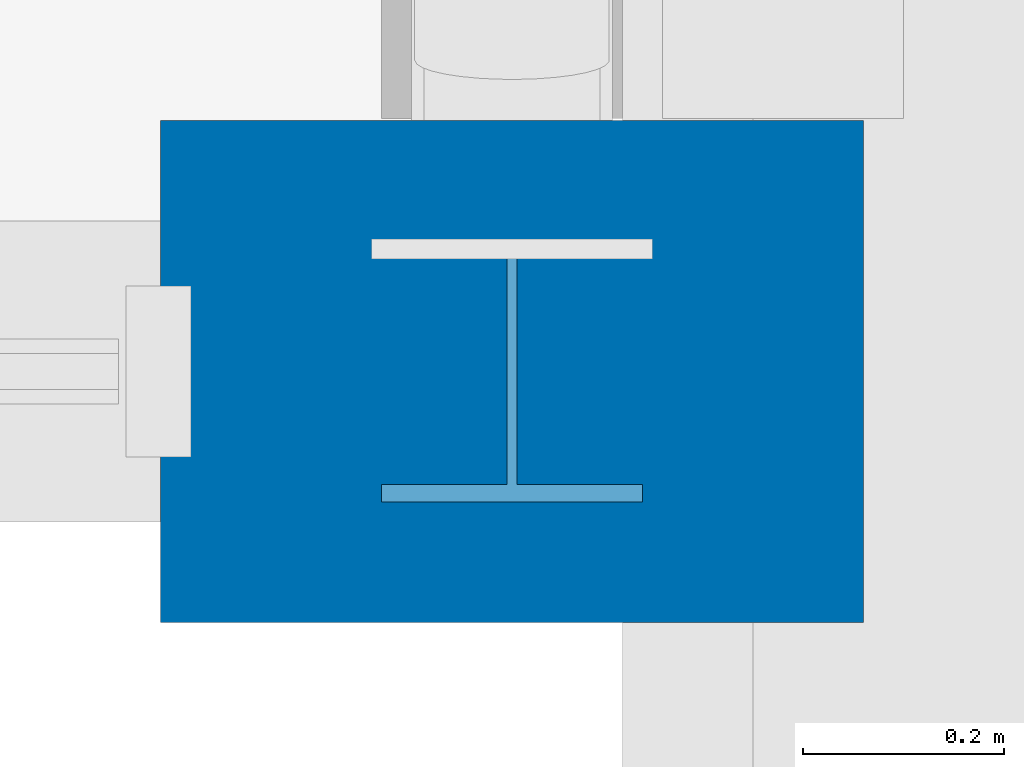
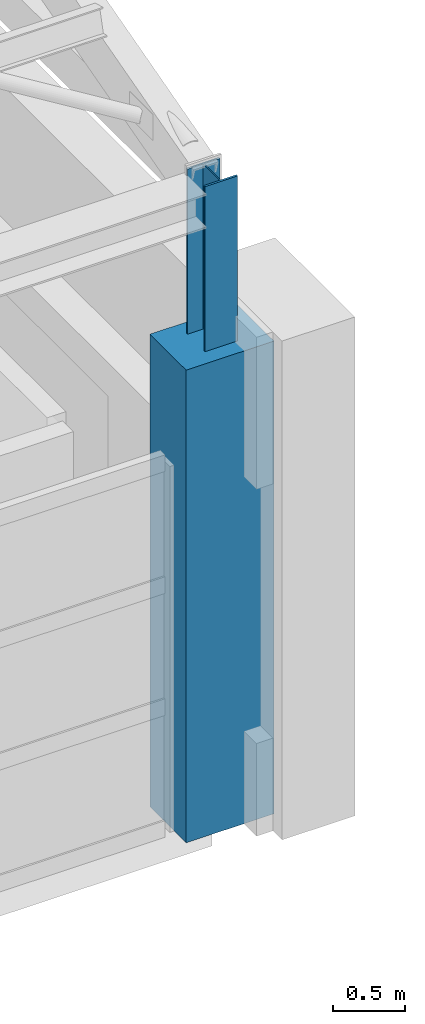
# One storey, part 4 of 58: 2 columns.
"""IFC4 building model written with IfcOpenShell, lengths in metres."""

from ifc_helpers import new_model, si_unit, direction, frame, origin, origin_2d, place, context, subcontext, project, spatial, rectangle, i_section, extrude, material, material_profile, profile_set, type_object, element, save


model = new_model("IFC4")

# Units and contexts
model_context = context("Model", 3, precision=1e-05, world=origin(), true_north=direction((0.0, 1.0)))
body_context = subcontext(model_context, "Body", "Model", "MODEL_VIEW")
ifc_project = project(units=[si_unit("LENGTHUNIT", "METRE"), si_unit("AREAUNIT", "SQUARE_METRE"), si_unit("VOLUMEUNIT", "CUBIC_METRE"), si_unit("PLANEANGLEUNIT", "RADIAN"), si_unit("MASSUNIT", "GRAM", prefix="KILO")], contexts=[model_context])

# Site, building, storey
site_placement = place(None, origin())
site = spatial("IfcSite", under=ifc_project, at=site_placement, CompositionType="ELEMENT")
building_placement = place(site_placement, origin())
building = spatial("IfcBuilding", under=site, at=building_placement, Name="Bempovik Park Faculty of Sciences", CompositionType="ELEMENT")
storey_placement = place(building_placement, frame((0.0, 0.0, 18.300048828125)))
storey = spatial("IfcBuildingStorey", under=building, at=storey_placement, Name="L04", CompositionType="ELEMENT", Elevation=18.300048828125)

# Columns
ifc_material_1 = material(Name="Concrete C40/50", Category="concrete")
ifc_material_profile_1 = material_profile(ifc_material_1, rectangle(XDim=0.699951171875, YDim=0.5, at=origin_2d()), Name="RC 700x500")
ifc_profile_set_1 = profile_set([ifc_material_profile_1], Name="Concrete C40/50")
column_type_1 = type_object("IfcColumnType", Name="C-75 RC 700x500", PredefinedType="COLUMN", material=ifc_profile_set_1)
column_1_placement = place(storey_placement, frame((127.199951171875, 67.800048828125, 0.0), z_axis=(0.0, 0.0, 1.0), x_axis=(1.0, 0.0, 0.0)))
element("IfcColumn", 1, at=column_1_placement, inside=storey, type_object=column_type_1, Name="L04 Structural Column (127.2,67.8)", PredefinedType="COLUMN", context=body_context, shape_type="SweptSolid", body=[
    extrude(rectangle(XDim=0.699951171875, YDim=0.5, at=origin_2d()), origin(), (0.0, 0.0, 1.0), 3.97998046875),
])
ifc_material_2 = material(Name="Steel S355", Category="steel")
ifc_material_profile_2 = material_profile(ifc_material_2, i_section(OverallWidth=0.260009765625, OverallDepth=0.260009765625, WebThickness=0.010009765625, FlangeThickness=0.017578125, at=origin_2d()), Name="HEB 260")
ifc_profile_set_2 = profile_set([ifc_material_profile_2], Name="Steel S355")
column_type_2 = type_object("IfcColumnType", Name="C-80 HEB 260", PredefinedType="COLUMN", material=ifc_profile_set_2)
column_2_placement = place(storey_placement, frame((127.199951171875, 67.800048828125, 3.98583984375), z_axis=(0.0, 0.0, 1.0), x_axis=(1.0, 0.0, 0.0)))
element("IfcColumn", 2, at=column_2_placement, inside=storey, type_object=column_type_2, Name="Sawtooth Clerestory Steel Column V2 (127.2,67.8)", PredefinedType="COLUMN", context=body_context, shape_type="SweptSolid", body=[
    extrude(i_section(OverallWidth=0.260009765625, OverallDepth=0.260009765625, WebThickness=0.010009765625, FlangeThickness=0.017578125, at=origin_2d()), origin(), (0.0, 0.0, 1.0), 1.38916015625),
])

save(model, "model.ifc")
